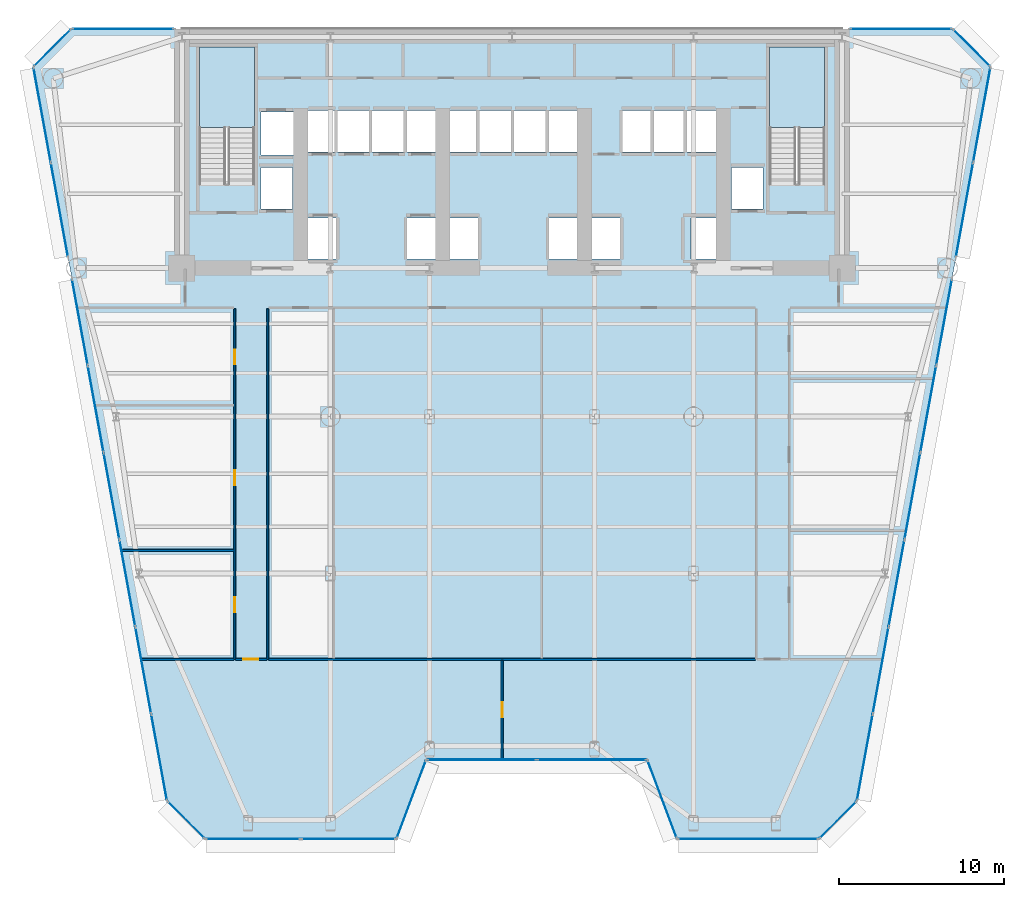
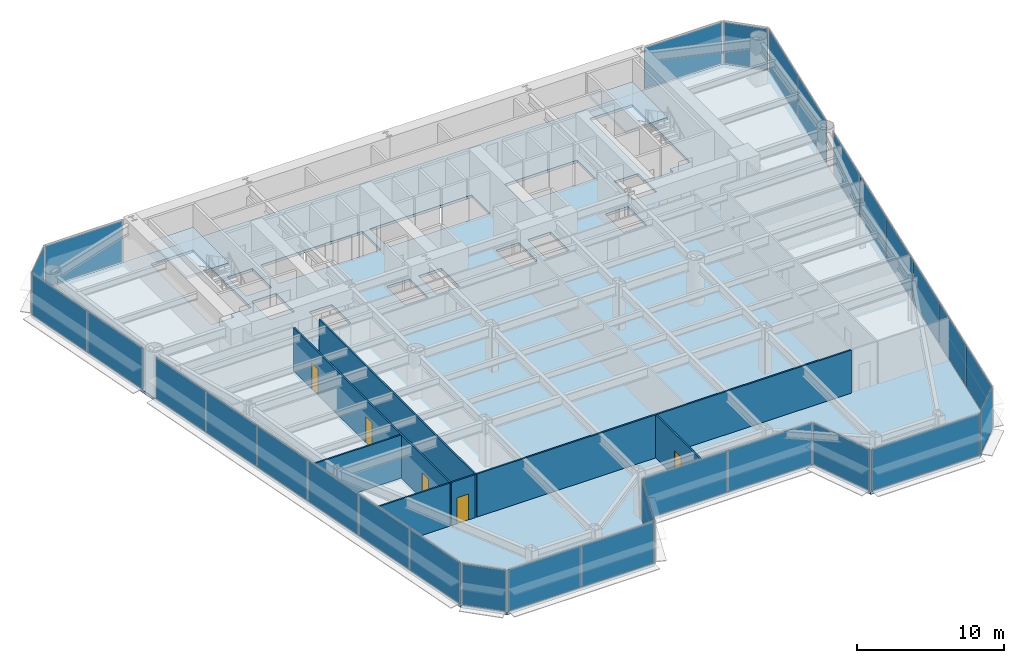
# One storey, part 7 of 14: 29 plates, 7 walls, 5 doors, 3 slabs, 5 openings, 17 elements without a shape of their own.
"""IFC4 building model written with IfcOpenShell, lengths in metres."""

from ifc_helpers import new_model, si_unit, direction, frame, frame_2d, origin, origin_2d, place, context, subcontext, project, spatial, polyline, rectangle, outline, extrude, source, transform, mapped, material, layer, layer_set, type_object, element, fill, aggregate, save


model = new_model("IFC4")

# Units and contexts
model_context = context("Model", 3, precision=1e-05, world=origin(), true_north=direction((0.0, 1.0)))
body_context = subcontext(model_context, "Body", "Model", "MODEL_VIEW")
ifc_project = project(units=[si_unit("LENGTHUNIT", "METRE"), si_unit("AREAUNIT", "SQUARE_METRE"), si_unit("VOLUMEUNIT", "CUBIC_METRE"), si_unit("PLANEANGLEUNIT", "RADIAN"), si_unit("MASSUNIT", "GRAM", prefix="KILO")], contexts=[model_context])

# Site, building, storey
site_placement = place(None, origin())
site = spatial("IfcSite", under=ifc_project, at=site_placement, CompositionType="ELEMENT")
building_placement = place(site_placement, origin())
building = spatial("IfcBuilding", under=site, at=building_placement, Name="Vaeldorn Concourse Tower", CompositionType="ELEMENT")
storey_placement = place(building_placement, frame((0.0, 0.0, 49.199951171875)))
storey = spatial("IfcBuildingStorey", under=building, at=storey_placement, Name="L12", CompositionType="ELEMENT", Elevation=49.199951171875)

# Stair, slab
ifc_material_1 = material(Name="Precast concrete C40/50", Category="concrete")
stair_type = type_object("IfcStairType", Name="STR-DOG-24x158", PredefinedType="HALF_TURN_STAIR", material=ifc_material_1)
stair_1_placement = place(storey_placement, origin())
stair_1 = element("IfcStair", 1, at=stair_1_placement, inside=storey, type_object=stair_type, Name="L12 West Core Exit Stair ST-1", PredefinedType="HALF_TURN_STAIR")
ifc_material_2 = material(Name="Concrete C40/50", Category="concrete")
ifc_layer_1 = layer(ifc_material_2, 0.199951171875)
ifc_layer_set_1 = layer_set([ifc_layer_1], Name="Concrete C40/50")
slab_type_1 = type_object("IfcSlabType", Name="SL-STAIR-LANDING", PredefinedType="LANDING", material=ifc_layer_set_1)
slab_1_placement = place(storey_placement, frame((0.0, 0.0, 1.699951171875)))
slab_1 = element("IfcSlab", 2, at=slab_1_placement, type_object=slab_type_1, Name="ST-1 landing 1", PredefinedType="LANDING", context=body_context, shape_type="SweptSolid", body=[
    extrude(outline(polyline([(18.39990234375, 45.010009765625), (18.39990234375, 49.89990234375), (15.050048828125, 49.89990234375), (15.050048828125, 45.010009765625), (18.39990234375, 45.010009765625)])), origin(), (0.0, 0.0, 1.0), 0.2001953125),
])
aggregate(stair_1, [slab_1])

stair_2_placement = place(storey_placement, origin())
stair_2 = element("IfcStair", 3, at=stair_2_placement, inside=storey, type_object=stair_type, Name="L12 East Core Exit Stair ST-2", PredefinedType="HALF_TURN_STAIR")
slab_2_placement = place(storey_placement, frame((0.0, 0.0, 1.699951171875)))
slab_2 = element("IfcSlab", 4, at=slab_2_placement, type_object=slab_type_1, Name="ST-2 landing 1", PredefinedType="LANDING", context=body_context, shape_type="SweptSolid", body=[
    extrude(outline(polyline([(52.949951171875, 45.010009765625), (52.949951171875, 49.89990234375), (49.60009765625, 49.89990234375), (49.60009765625, 45.010009765625), (52.949951171875, 45.010009765625)])), origin(), (0.0, 0.0, 1.0), 0.2001953125),
])
aggregate(stair_2, [slab_2])

# Slab
ifc_layer_2 = layer(ifc_material_2, 0.219970703125)
ifc_layer_set_2 = layer_set([ifc_layer_2], Name="Concrete C40/50")
slab_type_2 = type_object("IfcSlabType", Name="SL-TYP-220", PredefinedType="FLOOR", material=ifc_layer_set_2)
slab_3_placement = place(storey_placement, frame((0.0, 0.0, -0.219970703125)))
element("IfcSlab", 5, at=slab_3_placement, inside=storey, type_object=slab_type_2, Name="Structural Floor Slab L12", PredefinedType="FLOOR", context=body_context, shape_type="SweptSolid", body=[
    extrude(outline(polyline([(15.3994140625, 1.91259765625), (27.0, 1.91259765625), (28.800048828125, 6.712646484375), (42.199951171875, 6.712646484375), (44.0, 1.91259765625), (52.6005859375, 1.91259765625), (54.900634765625, 4.212646484375), (63.0, 48.699951171875), (60.699951171875, 51.0), (7.300048828125, 51.0), (5.0, 48.699951171875), (13.099365234375, 4.212646484375), (15.3994140625, 1.91259765625)]), holes=[polyline([(18.39990234375, 42.0), (18.39990234375, 49.89990234375), (15.050048828125, 49.89990234375), (15.050048828125, 41.60009765625), (16.800048828125, 41.60009765625), (16.800048828125, 42.0), (18.39990234375, 42.0)]), polyline([(52.949951171875, 42.0), (52.949951171875, 49.89990234375), (49.60009765625, 49.89990234375), (49.60009765625, 41.60009765625), (51.35009765625, 41.60009765625), (51.35009765625, 42.0), (52.949951171875, 42.0)]), polyline([(21.550048828125, 37.050048828125), (23.35009765625, 37.050048828125), (23.35009765625, 39.550048828125), (21.550048828125, 39.550048828125), (21.550048828125, 37.050048828125)]), polyline([(27.64990234375, 37.050048828125), (29.449951171875, 37.050048828125), (29.449951171875, 39.550048828125), (27.64990234375, 39.550048828125), (27.64990234375, 37.050048828125)]), polyline([(21.5, 43.550048828125), (29.5, 43.550048828125), (29.5, 46.050048828125), (21.5, 46.050048828125), (21.5, 43.550048828125)]), polyline([(30.14990234375, 37.050048828125), (31.949951171875, 37.050048828125), (31.949951171875, 39.550048828125), (30.14990234375, 39.550048828125), (30.14990234375, 37.050048828125)]), polyline([(36.25, 37.050048828125), (38.050048828125, 37.050048828125), (38.050048828125, 39.550048828125), (36.25, 39.550048828125), (36.25, 37.050048828125)]), polyline([(30.10009765625, 43.550048828125), (38.10009765625, 43.550048828125), (38.10009765625, 46.050048828125), (30.10009765625, 46.050048828125), (30.10009765625, 43.550048828125)]), polyline([(38.75, 37.050048828125), (40.550048828125, 37.050048828125), (40.550048828125, 39.550048828125), (38.75, 39.550048828125), (38.75, 37.050048828125)]), polyline([(44.85009765625, 37.050048828125), (46.64990234375, 37.050048828125), (46.64990234375, 39.550048828125), (44.85009765625, 39.550048828125), (44.85009765625, 37.050048828125)]), polyline([(40.699951171875, 43.550048828125), (46.39990234375, 43.550048828125), (46.39990234375, 46.050048828125), (40.699951171875, 46.050048828125), (40.699951171875, 43.550048828125)]), polyline([(18.800048828125, 43.35009765625), (20.800048828125, 43.35009765625), (20.800048828125, 45.949951171875), (18.800048828125, 45.949951171875), (18.800048828125, 43.35009765625)]), polyline([(18.800048828125, 40.10009765625), (20.699951171875, 40.10009765625), (20.699951171875, 42.60009765625), (18.800048828125, 42.60009765625), (18.800048828125, 40.10009765625)]), polyline([(47.300048828125, 40.10009765625), (49.199951171875, 40.10009765625), (49.199951171875, 42.60009765625), (47.300048828125, 42.60009765625), (47.300048828125, 40.10009765625)])]), origin(), (0.0, 0.0, 1.0), 0.219970703125),
])

# Curtain wall, plate
ifc_material_3 = material(Name="Anodised Bronze Aluminium", Category="aluminium")
ifc_layer_3 = layer(ifc_material_3, 0.219970703125)
ifc_layer_set_3 = layer_set([ifc_layer_3], Name="Anodised Bronze Aluminium")
curtain_wall_type = type_object("IfcCurtainWallType", Name="CW-SYS-01", PredefinedType="NOTDEFINED", material=ifc_layer_set_3)
curtain_wall_1_placement = place(storey_placement, origin())
curtain_wall_1 = element("IfcCurtainWall", 6, at=curtain_wall_1_placement, inside=storey, type_object=curtain_wall_type, Name="Unitised Curtain Wall CW-L12-E02-1", PredefinedType="NOTDEFINED")
ifc_material_4 = material(Name="Bronze Tinted Low-E Insulated Glass", Category="glass")
ifc_layer_4 = layer(ifc_material_4, 0.031982421875)
ifc_layer_set_4 = layer_set([ifc_layer_4], Name="Bronze Tinted Low-E Insulated Glass")
plate_type = type_object("IfcPlateType", Name="CWP-VISION-32", PredefinedType="CURTAIN_PANEL", material=ifc_layer_set_4)
shared_shape_1 = source(origin(), body_context, "Body", "SweptSolid", [
    extrude(rectangle(XDim=4.976318359375, YDim=0.031982421875, at=origin_2d()), origin(), (0.0, 0.0, 1.0), 3.429931640625),
])
plate_1_placement = place(storey_placement, frame((27.89990234375, 4.3125, 0.0751953125), z_axis=(0.0, 0.0, 1.0), x_axis=(0.351123441595, 0.936329177566, 0.0)))
plate_1 = element("IfcPlate", 7, at=plate_1_placement, type_object=plate_type, Name="CW-01 panel 1.1", PredefinedType="CURTAIN_PANEL", context=body_context, shape_type="MappedRepresentation", body=[
    mapped(shared_shape_1, transform((0.0, 0.0, 0.0), scale=1.0)),
])
aggregate(curtain_wall_1, [plate_1])

curtain_wall_2_placement = place(storey_placement, origin())
curtain_wall_2 = element("IfcCurtainWall", 8, at=curtain_wall_2_placement, inside=storey, type_object=curtain_wall_type, Name="Unitised Curtain Wall CW-L12-E04-1", PredefinedType="NOTDEFINED")
plate_2_placement = place(storey_placement, frame((43.10009765625, 4.3125, 0.0751953125), z_axis=(0.0, 0.0, 1.0), x_axis=(0.351123441595, -0.936329177566, 0.0)))
plate_2 = element("IfcPlate", 9, at=plate_2_placement, type_object=plate_type, Name="CW-01 panel 1.1", PredefinedType="CURTAIN_PANEL", context=body_context, shape_type="MappedRepresentation", body=[
    mapped(shared_shape_1, transform((0.0, 0.0, 0.0), scale=1.0)),
])
aggregate(curtain_wall_2, [plate_2])

# Curtain wall, plates
curtain_wall_3_placement = place(storey_placement, origin())
curtain_wall_3 = element("IfcCurtainWall", 10, at=curtain_wall_3_placement, inside=storey, type_object=curtain_wall_type, Name="Unitised Curtain Wall CW-L12-E03-1", PredefinedType="NOTDEFINED")
shared_shape_2 = source(origin(), body_context, "Body", "SweptSolid", [
    extrude(rectangle(XDim=6.58740234375, YDim=0.031982421875, at=origin_2d()), origin(), (0.0, 0.0, 1.0), 3.429931640625),
])
plate_3_placement = place(storey_placement, frame((32.168701171875, 6.712646484375, 0.0751953125), z_axis=(0.0, 0.0, 1.0), x_axis=(1.0, 0.0, 0.0)))
plate_3 = element("IfcPlate", 11, at=plate_3_placement, type_object=plate_type, Name="CW-01 panel 1.1", PredefinedType="CURTAIN_PANEL", context=body_context, shape_type="MappedRepresentation", body=[
    mapped(shared_shape_2, transform((0.0, 0.0, 0.0), scale=1.0)),
])
plate_4_placement = place(storey_placement, frame((38.831298828125, 6.712646484375, 0.0751953125), z_axis=(0.0, 0.0, 1.0), x_axis=(1.0, 0.0, 0.0)))
plate_4 = element("IfcPlate", 12, at=plate_4_placement, type_object=plate_type, Name="CW-01 panel 2.1", PredefinedType="CURTAIN_PANEL", context=body_context, shape_type="MappedRepresentation", body=[
    mapped(shared_shape_2, transform((0.0, 0.0, 0.0), scale=1.0)),
])
aggregate(curtain_wall_3, [plate_3, plate_4])

# Curtain wall, plate
curtain_wall_4_placement = place(storey_placement, origin())
curtain_wall_4 = element("IfcCurtainWall", 13, at=curtain_wall_4_placement, inside=storey, type_object=curtain_wall_type, Name="Unitised Curtain Wall CW-L12-E06-1", PredefinedType="NOTDEFINED")
shared_shape_3 = source(origin(), body_context, "Body", "SweptSolid", [
    extrude(rectangle(XDim=3.102783203125, YDim=0.031982421875, at=origin_2d()), origin(), (0.0, 0.0, 1.0), 3.429931640625),
])
plate_5_placement = place(storey_placement, frame((53.75048828125, 3.0625, 0.0751953125), z_axis=(0.0, 0.0, 1.0), x_axis=(0.707106781187, 0.707106781187, 0.0)))
plate_5 = element("IfcPlate", 14, at=plate_5_placement, type_object=plate_type, Name="CW-01 panel 1.1", PredefinedType="CURTAIN_PANEL", context=body_context, shape_type="MappedRepresentation", body=[
    mapped(shared_shape_3, transform((0.0, 0.0, 0.0), scale=1.0)),
])
aggregate(curtain_wall_4, [plate_5])

curtain_wall_5_placement = place(storey_placement, origin())
curtain_wall_5 = element("IfcCurtainWall", 15, at=curtain_wall_5_placement, inside=storey, type_object=curtain_wall_type, Name="Unitised Curtain Wall CW-L12-E08-1", PredefinedType="NOTDEFINED")
plate_6_placement = place(storey_placement, frame((61.85009765625, 49.85009765625, 0.0751953125), z_axis=(0.0, 0.0, 1.0), x_axis=(-0.707106781187, 0.707106781187, 0.0)))
plate_6 = element("IfcPlate", 16, at=plate_6_placement, type_object=plate_type, Name="CW-01 panel 1.1", PredefinedType="CURTAIN_PANEL", context=body_context, shape_type="MappedRepresentation", body=[
    mapped(shared_shape_3, transform((0.0, 0.0, 0.0), scale=1.0)),
])
aggregate(curtain_wall_5, [plate_6])

curtain_wall_6_placement = place(storey_placement, origin())
curtain_wall_6 = element("IfcCurtainWall", 17, at=curtain_wall_6_placement, inside=storey, type_object=curtain_wall_type, Name="Unitised Curtain Wall CW-L12-E10-1", PredefinedType="NOTDEFINED")
plate_7_placement = place(storey_placement, frame((6.14990234375, 49.85009765625, 0.0751953125), z_axis=(0.0, 0.0, 1.0), x_axis=(-0.707106781187, -0.707106781187, 0.0)))
plate_7 = element("IfcPlate", 18, at=plate_7_placement, type_object=plate_type, Name="CW-01 panel 1.1", PredefinedType="CURTAIN_PANEL", context=body_context, shape_type="MappedRepresentation", body=[
    mapped(shared_shape_3, transform((0.0, 0.0, 0.0), scale=1.0)),
])
aggregate(curtain_wall_6, [plate_7])

curtain_wall_7_placement = place(storey_placement, origin())
curtain_wall_7 = element("IfcCurtainWall", 19, at=curtain_wall_7_placement, inside=storey, type_object=curtain_wall_type, Name="Unitised Curtain Wall CW-L12-E12-1", PredefinedType="NOTDEFINED")
plate_8_placement = place(storey_placement, frame((14.24951171875, 3.0625, 0.0751953125), z_axis=(0.0, 0.0, 1.0), x_axis=(0.707106781187, -0.707106781187, 0.0)))
plate_8 = element("IfcPlate", 20, at=plate_8_placement, type_object=plate_type, Name="CW-01 panel 1.1", PredefinedType="CURTAIN_PANEL", context=body_context, shape_type="MappedRepresentation", body=[
    mapped(shared_shape_3, transform((0.0, 0.0, 0.0), scale=1.0)),
])
aggregate(curtain_wall_7, [plate_8])

curtain_wall_8_placement = place(storey_placement, origin())
curtain_wall_8 = element("IfcCurtainWall", 21, at=curtain_wall_8_placement, inside=storey, type_object=curtain_wall_type, Name="Unitised Curtain Wall CW-L12-E09-1", PredefinedType="NOTDEFINED")
shared_shape_4 = source(origin(), body_context, "Body", "SweptSolid", [
    extrude(rectangle(XDim=6.10498046875, YDim=0.031982421875, at=origin_2d()), origin(), (0.0, 0.0, 1.0), 3.429931640625),
])
plate_9_placement = place(storey_placement, frame((57.572509765625, 51.0, 0.0751953125), z_axis=(0.0, 0.0, 1.0), x_axis=(-1.0, 0.0, 0.0)))
plate_9 = element("IfcPlate", 22, at=plate_9_placement, type_object=plate_type, Name="CW-01 panel 1.1", PredefinedType="CURTAIN_PANEL", context=body_context, shape_type="MappedRepresentation", body=[
    mapped(shared_shape_4, transform((0.0, 0.0, 0.0), scale=1.0)),
])
aggregate(curtain_wall_8, [plate_9])

curtain_wall_9_placement = place(storey_placement, origin())
curtain_wall_9 = element("IfcCurtainWall", 23, at=curtain_wall_9_placement, inside=storey, type_object=curtain_wall_type, Name="Unitised Curtain Wall CW-L12-E09-2", PredefinedType="NOTDEFINED")
plate_10_placement = place(storey_placement, frame((10.427490234375, 51.0, 0.0751953125), z_axis=(0.0, 0.0, 1.0), x_axis=(-1.0, 0.0, 0.0)))
plate_10 = element("IfcPlate", 24, at=plate_10_placement, type_object=plate_type, Name="CW-01 panel 1.1", PredefinedType="CURTAIN_PANEL", context=body_context, shape_type="MappedRepresentation", body=[
    mapped(shared_shape_4, transform((0.0, 0.0, 0.0), scale=1.0)),
])
aggregate(curtain_wall_9, [plate_10])

# Curtain wall, plates
curtain_wall_10_placement = place(storey_placement, origin())
curtain_wall_10 = element("IfcCurtainWall", 25, at=curtain_wall_10_placement, inside=storey, type_object=curtain_wall_type, Name="Unitised Curtain Wall CW-L12-E07-2", PredefinedType="NOTDEFINED")
shared_shape_5 = source(origin(), body_context, "Body", "SweptSolid", [
    extrude(rectangle(XDim=5.77294921875, YDim=0.031982421875, at=origin_2d()), origin(), (0.0, 0.0, 1.0), 3.429931640625),
])
plate_11_placement = place(storey_placement, frame((61.422119140625, 40.032958984375, 0.0751953125), z_axis=(0.0, 0.0, 1.0), x_axis=(0.179120182152, 0.98382720045, 0.0)))
plate_11 = element("IfcPlate", 26, at=plate_11_placement, type_object=plate_type, Name="CW-01 panel 1.1", PredefinedType="CURTAIN_PANEL", context=body_context, shape_type="MappedRepresentation", body=[
    mapped(shared_shape_5, transform((0.0, 0.0, 0.0), scale=1.0)),
])
plate_12_placement = place(storey_placement, frame((62.469482421875, 45.786376953125, 0.0751953125), z_axis=(0.0, 0.0, 1.0), x_axis=(0.179120182152, 0.98382720045, 0.0)))
plate_12 = element("IfcPlate", 27, at=plate_12_placement, type_object=plate_type, Name="CW-01 panel 2.1", PredefinedType="CURTAIN_PANEL", context=body_context, shape_type="MappedRepresentation", body=[
    mapped(shared_shape_5, transform((0.0, 0.0, 0.0), scale=1.0)),
])
aggregate(curtain_wall_10, [plate_11, plate_12])

curtain_wall_11_placement = place(storey_placement, origin())
curtain_wall_11 = element("IfcCurtainWall", 28, at=curtain_wall_11_placement, inside=storey, type_object=curtain_wall_type, Name="Unitised Curtain Wall CW-L12-E11-1", PredefinedType="NOTDEFINED")
plate_13_placement = place(storey_placement, frame((5.530517578125, 45.786376953125, 0.0751953125), z_axis=(0.0, 0.0, 1.0), x_axis=(0.179120182152, -0.98382720045, 0.0)))
plate_13 = element("IfcPlate", 29, at=plate_13_placement, type_object=plate_type, Name="CW-01 panel 1.1", PredefinedType="CURTAIN_PANEL", context=body_context, shape_type="MappedRepresentation", body=[
    mapped(shared_shape_5, transform((0.0, 0.0, 0.0), scale=1.0)),
])
plate_14_placement = place(storey_placement, frame((6.577880859375, 40.032958984375, 0.0751953125), z_axis=(0.0, 0.0, 1.0), x_axis=(0.179120182152, -0.98382720045, 0.0)))
plate_14 = element("IfcPlate", 30, at=plate_14_placement, type_object=plate_type, Name="CW-01 panel 2.1", PredefinedType="CURTAIN_PANEL", context=body_context, shape_type="MappedRepresentation", body=[
    mapped(shared_shape_5, transform((0.0, 0.0, 0.0), scale=1.0)),
])
aggregate(curtain_wall_11, [plate_13, plate_14])

curtain_wall_12_placement = place(storey_placement, origin())
curtain_wall_12 = element("IfcCurtainWall", 31, at=curtain_wall_12_placement, inside=storey, type_object=curtain_wall_type, Name="Unitised Curtain Wall CW-L12-E01-1", PredefinedType="NOTDEFINED")
shared_shape_6 = source(origin(), body_context, "Body", "SweptSolid", [
    extrude(rectangle(XDim=5.687744140625, YDim=0.031982421875, at=origin_2d()), origin(), (0.0, 0.0, 1.0), 3.429931640625),
])
plate_15_placement = place(storey_placement, frame((18.318359375, 1.91259765625, 0.0751953125), z_axis=(0.0, 0.0, 1.0), x_axis=(1.0, 0.0, 0.0)))
plate_15 = element("IfcPlate", 32, at=plate_15_placement, type_object=plate_type, Name="CW-01 panel 1.1", PredefinedType="CURTAIN_PANEL", context=body_context, shape_type="MappedRepresentation", body=[
    mapped(shared_shape_6, transform((0.0, 0.0, 0.0), scale=1.0)),
])
plate_16_placement = place(storey_placement, frame((24.0810546875, 1.91259765625, 0.0751953125), z_axis=(0.0, 0.0, 1.0), x_axis=(1.0, 0.0, 0.0)))
plate_16 = element("IfcPlate", 33, at=plate_16_placement, type_object=plate_type, Name="CW-01 panel 2.1", PredefinedType="CURTAIN_PANEL", context=body_context, shape_type="MappedRepresentation", body=[
    mapped(shared_shape_6, transform((0.0, 0.0, 0.0), scale=1.0)),
])
aggregate(curtain_wall_12, [plate_15, plate_16])

# Curtain wall, plate
curtain_wall_13_placement = place(storey_placement, origin())
curtain_wall_13 = element("IfcCurtainWall", 34, at=curtain_wall_13_placement, inside=storey, type_object=curtain_wall_type, Name="Unitised Curtain Wall CW-L12-E05-1", PredefinedType="NOTDEFINED")
shared_shape_7 = source(origin(), body_context, "Body", "SweptSolid", [
    extrude(rectangle(XDim=8.45068359375, YDim=0.031982421875, at=origin_2d()), origin(), (0.0, 0.0, 1.0), 3.429931640625),
])
plate_17_placement = place(storey_placement, frame((48.30029296875, 1.91259765625, 0.0751953125), z_axis=(0.0, 0.0, 1.0), x_axis=(1.0, 0.0, 0.0)))
plate_17 = element("IfcPlate", 35, at=plate_17_placement, type_object=plate_type, Name="CW-01 panel 1.1", PredefinedType="CURTAIN_PANEL", context=body_context, shape_type="MappedRepresentation", body=[
    mapped(shared_shape_7, transform((0.0, 0.0, 0.0), scale=1.0)),
])
aggregate(curtain_wall_13, [plate_17])

# Curtain wall, plates
curtain_wall_14_placement = place(storey_placement, origin())
curtain_wall_14 = element("IfcCurtainWall", 36, at=curtain_wall_14_placement, inside=storey, type_object=curtain_wall_type, Name="Unitised Curtain Wall CW-L12-E07-1", PredefinedType="NOTDEFINED")
shared_shape_8 = source(origin(), body_context, "Body", "SweptSolid", [
    extrude(rectangle(XDim=5.252197265625, YDim=0.031982421875, at=origin_2d()), origin(), (0.0, 0.0, 1.0), 3.429931640625),
])
plate_18_placement = place(storey_placement, frame((55.384521484375, 6.8701171875, 0.0751953125), z_axis=(0.0, 0.0, 1.0), x_axis=(0.179116994505, 0.983827780803, 0.0)))
plate_18 = element("IfcPlate", 37, at=plate_18_placement, type_object=plate_type, Name="CW-01 panel 1.1", PredefinedType="CURTAIN_PANEL", context=body_context, shape_type="MappedRepresentation", body=[
    mapped(shared_shape_8, transform((0.0, 0.0, 0.0), scale=1.0)),
])
plate_19_placement = place(storey_placement, frame((60.182373046875, 33.22314453125, 0.0751953125), z_axis=(0.0, 0.0, 1.0), x_axis=(0.179116994505, 0.983827780803, 0.0)))
plate_19 = element("IfcPlate", 38, at=plate_19_placement, type_object=plate_type, Name="CW-01 panel 6.1", PredefinedType="CURTAIN_PANEL", context=body_context, shape_type="MappedRepresentation", body=[
    mapped(shared_shape_8, transform((0.0, 0.0, 0.0), scale=1.0)),
])

curtain_wall_15_placement = place(storey_placement, origin())
curtain_wall_15 = element("IfcCurtainWall", 39, at=curtain_wall_15_placement, inside=storey, type_object=curtain_wall_type, Name="Unitised Curtain Wall CW-L12-E11-2", PredefinedType="NOTDEFINED")
plate_20_placement = place(storey_placement, frame((7.817626953125, 33.22314453125, 0.0751953125), z_axis=(0.0, 0.0, 1.0), x_axis=(0.179116994505, -0.983827780803, 0.0)))
plate_20 = element("IfcPlate", 40, at=plate_20_placement, type_object=plate_type, Name="CW-01 panel 1.1", PredefinedType="CURTAIN_PANEL", context=body_context, shape_type="MappedRepresentation", body=[
    mapped(shared_shape_8, transform((0.0, 0.0, 0.0), scale=1.0)),
])
plate_21_placement = place(storey_placement, frame((12.615478515625, 6.8701171875, 0.0751953125), z_axis=(0.0, 0.0, 1.0), x_axis=(0.179116994505, -0.983827780803, 0.0)))
plate_21 = element("IfcPlate", 41, at=plate_21_placement, type_object=plate_type, Name="CW-01 panel 6.1", PredefinedType="CURTAIN_PANEL", context=body_context, shape_type="MappedRepresentation", body=[
    mapped(shared_shape_8, transform((0.0, 0.0, 0.0), scale=1.0)),
])

# Plate
shared_shape_9 = source(origin(), body_context, "Body", "SweptSolid", [
    extrude(rectangle(XDim=5.289794921875, YDim=0.031982421875, at=origin_2d()), origin(), (0.0, 0.0, 1.0), 3.429931640625),
])
plate_22_placement = place(storey_placement, frame((56.342041015625, 12.129638671875, 0.0751953125), z_axis=(0.0, 0.0, 1.0), x_axis=(0.179116994505, 0.983827780803, 0.0)))
plate_22 = element("IfcPlate", 42, at=plate_22_placement, type_object=plate_type, Name="CW-01 panel 2.1", PredefinedType="CURTAIN_PANEL", context=body_context, shape_type="MappedRepresentation", body=[
    mapped(shared_shape_9, transform((0.0, 0.0, 0.0), scale=1.0)),
])

plate_23_placement = place(storey_placement, frame((57.302978515625, 17.407470703125, 0.0751953125), z_axis=(0.0, 0.0, 1.0), x_axis=(0.179116994505, 0.983827780803, 0.0)))
plate_23 = element("IfcPlate", 43, at=plate_23_placement, type_object=plate_type, Name="CW-01 panel 3.1", PredefinedType="CURTAIN_PANEL", context=body_context, shape_type="MappedRepresentation", body=[
    mapped(shared_shape_9, transform((0.0, 0.0, 0.0), scale=1.0)),
])

plate_24_placement = place(storey_placement, frame((58.263916015625, 22.685546875, 0.0751953125), z_axis=(0.0, 0.0, 1.0), x_axis=(0.179116994505, 0.983827780803, 0.0)))
plate_24 = element("IfcPlate", 44, at=plate_24_placement, type_object=plate_type, Name="CW-01 panel 4.1", PredefinedType="CURTAIN_PANEL", context=body_context, shape_type="MappedRepresentation", body=[
    mapped(shared_shape_9, transform((0.0, 0.0, 0.0), scale=1.0)),
])

plate_25_placement = place(storey_placement, frame((59.224609375, 27.963623046875, 0.0751953125), z_axis=(0.0, 0.0, 1.0), x_axis=(0.179116994505, 0.983827780803, 0.0)))
plate_25 = element("IfcPlate", 45, at=plate_25_placement, type_object=plate_type, Name="CW-01 panel 5.1", PredefinedType="CURTAIN_PANEL", context=body_context, shape_type="MappedRepresentation", body=[
    mapped(shared_shape_9, transform((0.0, 0.0, 0.0), scale=1.0)),
])

aggregate(curtain_wall_14, [plate_18, plate_22, plate_23, plate_24, plate_25, plate_19])

plate_26_placement = place(storey_placement, frame((8.775390625, 27.963623046875, 0.0751953125), z_axis=(0.0, 0.0, 1.0), x_axis=(0.179116994505, -0.983827780803, 0.0)))
plate_26 = element("IfcPlate", 46, at=plate_26_placement, type_object=plate_type, Name="CW-01 panel 2.1", PredefinedType="CURTAIN_PANEL", context=body_context, shape_type="MappedRepresentation", body=[
    mapped(shared_shape_9, transform((0.0, 0.0, 0.0), scale=1.0)),
])

plate_27_placement = place(storey_placement, frame((9.736083984375, 22.685546875, 0.0751953125), z_axis=(0.0, 0.0, 1.0), x_axis=(0.179116994505, -0.983827780803, 0.0)))
plate_27 = element("IfcPlate", 47, at=plate_27_placement, type_object=plate_type, Name="CW-01 panel 3.1", PredefinedType="CURTAIN_PANEL", context=body_context, shape_type="MappedRepresentation", body=[
    mapped(shared_shape_9, transform((0.0, 0.0, 0.0), scale=1.0)),
])

plate_28_placement = place(storey_placement, frame((10.697021484375, 17.407470703125, 0.0751953125), z_axis=(0.0, 0.0, 1.0), x_axis=(0.179116994505, -0.983827780803, 0.0)))
plate_28 = element("IfcPlate", 48, at=plate_28_placement, type_object=plate_type, Name="CW-01 panel 4.1", PredefinedType="CURTAIN_PANEL", context=body_context, shape_type="MappedRepresentation", body=[
    mapped(shared_shape_9, transform((0.0, 0.0, 0.0), scale=1.0)),
])

plate_29_placement = place(storey_placement, frame((11.657958984375, 12.129638671875, 0.0751953125), z_axis=(0.0, 0.0, 1.0), x_axis=(0.179116994505, -0.983827780803, 0.0)))
plate_29 = element("IfcPlate", 49, at=plate_29_placement, type_object=plate_type, Name="CW-01 panel 5.1", PredefinedType="CURTAIN_PANEL", context=body_context, shape_type="MappedRepresentation", body=[
    mapped(shared_shape_9, transform((0.0, 0.0, 0.0), scale=1.0)),
])

aggregate(curtain_wall_15, [plate_20, plate_26, plate_27, plate_28, plate_29, plate_21])

# Wall, openings, doors
ifc_material_5 = material(Name="Gypsum Board Partition", Category="gypsum")
ifc_layer_5 = layer(ifc_material_5, 0.1201171875)
ifc_layer_set_5 = layer_set([ifc_layer_5], Name="Gypsum Board Partition")
wall_type = type_object("IfcWallType", Name="WL-PART-120", PredefinedType="PARTITIONING", material=ifc_layer_set_5)
wall_1_placement = place(storey_placement, frame((17.199951171875, 12.800048828125, 0.0), z_axis=(0.0, 0.0, 1.0), x_axis=(0.0, 1.0, 0.0)))
wall_1 = element("IfcWall", 50, at=wall_1_placement, inside=storey, type_object=wall_type, Name="Interior Wall PW-L12-CWW", PredefinedType="PARTITIONING", context=body_context, shape_type="SweptSolid", body=[
    extrude(rectangle(XDim=21.239990234375, YDim=0.1201171875, at=frame_2d((10.6201171875, 0.0))), origin(), (0.0, 0.0, 1.0), 3.580078125),
])
opening_1_placement = place(wall_1_placement, frame((2.85009765625, 0.0, 0.0)))
opening_1 = element("IfcOpeningElement", 51, at=opening_1_placement, cuts=wall_1, Name="Opening D-03", PredefinedType="OPENING", context=body_context, shape_type="SweptSolid", body=[
    extrude(rectangle(XDim=0.89990234375, YDim=2.14990234375, at=frame_2d((0.449951171875, 1.074951171875))), frame((0.0, 0.070068359375, 0.0), z_axis=(0.0, -1.0, 0.0), x_axis=(1.0, 0.0, 0.0)), (0.0, 0.0, 1.0), 0.14013671875),
])
opening_2_placement = place(wall_1_placement, frame((10.550048828125, 0.0, 0.0)))
opening_2 = element("IfcOpeningElement", 52, at=opening_2_placement, cuts=wall_1, Name="Opening D-03", PredefinedType="OPENING", context=body_context, shape_type="SweptSolid", body=[
    extrude(rectangle(XDim=0.89990234375, YDim=2.14990234375, at=frame_2d((0.449951171875, 1.074951171875))), frame((0.0, 0.070068359375, 0.0), z_axis=(0.0, -1.0, 0.0), x_axis=(1.0, 0.0, 0.0)), (0.0, 0.0, 1.0), 0.14013671875),
])
opening_3_placement = place(wall_1_placement, frame((17.8701171875, 0.0, 0.0)))
opening_3 = element("IfcOpeningElement", 53, at=opening_3_placement, cuts=wall_1, Name="Opening D-03", PredefinedType="OPENING", context=body_context, shape_type="SweptSolid", body=[
    extrude(rectangle(XDim=0.89990234375, YDim=2.14990234375, at=frame_2d((0.449951171875, 1.074951171875))), frame((0.0, 0.070068359375, 0.0), z_axis=(0.0, -1.0, 0.0), x_axis=(1.0, 0.0, 0.0)), (0.0, 0.0, 1.0), 0.14013671875),
])
ifc_material_6 = material(Name="Acoustic Bronze-Framed Glass Door", Category="glass")
door_type = type_object("IfcDoorType", Name="DR-INT-900", OperationType="NOTDEFINED", PredefinedType="DOOR", material=ifc_material_6)
shared_shape_10 = source(origin(), body_context, "Body", "SweptSolid", [
    extrude(rectangle(XDim=0.89990234375, YDim=2.14990234375, at=frame_2d((0.449951171875, 1.074951171875))), frame((0.0, 0.02490234375, 0.0), z_axis=(0.0, -1.0, 0.0), x_axis=(1.0, 0.0, 0.0)), (0.0, 0.0, 1.0), 0.050048828125),
])
door_1_placement = place(opening_1_placement, origin())
door_1 = element("IfcDoor", 54, at=door_1_placement, inside=storey, type_object=door_type, Name="Interior Door DR-L12-W1", OperationType="SINGLE_SWING_LEFT", OverallHeight=2.14990234375, OverallWidth=0.89990234375, PredefinedType="DOOR", context=body_context, shape_type="MappedRepresentation", body=[
    mapped(shared_shape_10, transform((0.0, 0.0, 0.0), scale=1.0)),
])
fill(opening_1, door_1)
door_2_placement = place(opening_2_placement, origin())
door_2 = element("IfcDoor", 55, at=door_2_placement, inside=storey, type_object=door_type, Name="Interior Door DR-L12-W2", OperationType="SINGLE_SWING_RIGHT", OverallHeight=2.14990234375, OverallWidth=0.89990234375, PredefinedType="DOOR", context=body_context, shape_type="MappedRepresentation", body=[
    mapped(shared_shape_10, transform((0.0, 0.0, 0.0), scale=1.0)),
])
fill(opening_2, door_2)
door_3_placement = place(opening_3_placement, origin())
door_3 = element("IfcDoor", 56, at=door_3_placement, inside=storey, type_object=door_type, Name="Interior Door DR-L12-W3", OperationType="SINGLE_SWING_LEFT", OverallHeight=2.14990234375, OverallWidth=0.89990234375, PredefinedType="DOOR", context=body_context, shape_type="MappedRepresentation", body=[
    mapped(shared_shape_10, transform((0.0, 0.0, 0.0), scale=1.0)),
])
fill(opening_3, door_3)

# Wall
wall_2_placement = place(storey_placement, frame((19.199951171875, 12.800048828125, 0.0), z_axis=(0.0, 0.0, 1.0), x_axis=(0.0, 1.0, 0.0)))
element("IfcWall", 57, at=wall_2_placement, inside=storey, type_object=wall_type, Name="Interior Wall PW-L12-CWE", PredefinedType="PARTITIONING", context=body_context, shape_type="SweptSolid", body=[
    extrude(rectangle(XDim=21.239990234375, YDim=0.1201171875, at=frame_2d((10.6201171875, 0.0))), origin(), (0.0, 0.0, 1.0), 3.580078125),
])

# Wall, opening, door
wall_3_placement = place(storey_placement, frame((17.260009765625, 12.800048828125, 0.0), z_axis=(0.0, 0.0, 1.0), x_axis=(1.0, 0.0, 0.0)))
wall_3 = element("IfcWall", 58, at=wall_3_placement, inside=storey, type_object=wall_type, Name="Interior Wall PW-L12-CWS", PredefinedType="PARTITIONING", context=body_context, shape_type="SweptSolid", body=[
    extrude(rectangle(XDim=1.8798828125, YDim=0.1201171875, at=frame_2d((0.93994140625, 0.0))), origin(), (0.0, 0.0, 1.0), 3.580078125),
])
opening_4_placement = place(wall_3_placement, frame((0.449951171875, 0.0, 0.0)))
opening_4 = element("IfcOpeningElement", 59, at=opening_4_placement, cuts=wall_3, Name="Opening D-03", PredefinedType="OPENING", context=body_context, shape_type="SweptSolid", body=[
    extrude(rectangle(XDim=0.89990234375, YDim=2.14990234375, at=frame_2d((0.449951171875, 1.074951171875))), frame((0.0, 0.070068359375, 0.0), z_axis=(0.0, -1.0, 0.0), x_axis=(1.0, 0.0, 0.0)), (0.0, 0.0, 1.0), 0.14013671875),
])
door_4_placement = place(opening_4_placement, origin())
door_4 = element("IfcDoor", 60, at=door_4_placement, inside=storey, type_object=door_type, Name="Interior Door DR-L12-SWL", OperationType="SINGLE_SWING_LEFT", OverallHeight=2.14990234375, OverallWidth=0.89990234375, PredefinedType="DOOR", context=body_context, shape_type="MappedRepresentation", body=[
    mapped(shared_shape_10, transform((0.0, 0.0, 0.0), scale=1.0)),
])
fill(opening_4, door_4)

# Walls
wall_4_placement = place(storey_placement, frame((11.575927734375, 12.800048828125, 0.0), z_axis=(0.0, 0.0, 1.0), x_axis=(1.0, 0.0, 0.0)))
element("IfcWall", 61, at=wall_4_placement, inside=storey, type_object=wall_type, Name="Interior Wall PW-L12-WY0", PredefinedType="PARTITIONING", context=body_context, shape_type="SweptSolid", body=[
    extrude(rectangle(XDim=5.56396484375, YDim=0.1201171875, at=frame_2d((2.781982421875, 0.0))), origin(), (0.0, 0.0, 1.0), 3.580078125),
])
wall_5_placement = place(storey_placement, frame((10.37451171875, 19.39990234375, 0.0), z_axis=(0.0, 0.0, 1.0), x_axis=(1.0, 0.0, 0.0)))
element("IfcWall", 62, at=wall_5_placement, inside=storey, type_object=wall_type, Name="Interior Wall PW-L12-WY1", PredefinedType="PARTITIONING", context=body_context, shape_type="SweptSolid", body=[
    extrude(rectangle(XDim=6.765380859375, YDim=0.1201171875, at=frame_2d((3.3828125, 0.0))), origin(), (0.0, 0.0, 1.0), 3.580078125),
])
wall_6_placement = place(storey_placement, frame((19.260009765625, 12.800048828125, 0.0), z_axis=(0.0, 0.0, 1.0), x_axis=(1.0, 0.0, 0.0)))
element("IfcWall", 63, at=wall_6_placement, inside=storey, type_object=wall_type, Name="Interior Wall PW-L12-HUBS", PredefinedType="PARTITIONING", context=body_context, shape_type="SweptSolid", body=[
    extrude(rectangle(XDim=29.47998046875, YDim=0.1201171875, at=frame_2d((14.739990234375, 0.0))), origin(), (0.0, 0.0, 1.0), 3.580078125),
])

# Wall, opening, door
wall_7_placement = place(storey_placement, frame((33.39990234375, 6.752685546875, 0.0), z_axis=(0.0, 0.0, 1.0), x_axis=(0.0, 1.0, 0.0)))
wall_7 = element("IfcWall", 64, at=wall_7_placement, inside=storey, type_object=wall_type, Name="Interior Wall PW-L12-SMID1", PredefinedType="PARTITIONING", context=body_context, shape_type="SweptSolid", body=[
    extrude(rectangle(XDim=5.9873046875, YDim=0.1201171875, at=frame_2d((2.99365234375, 0.0))), origin(), (0.0, 0.0, 1.0), 3.580078125),
])
opening_5_placement = place(wall_7_placement, frame((2.5439453125, 0.0, 0.0)))
opening_5 = element("IfcOpeningElement", 65, at=opening_5_placement, cuts=wall_7, Name="Opening D-03", PredefinedType="OPENING", context=body_context, shape_type="SweptSolid", body=[
    extrude(rectangle(XDim=0.89990234375, YDim=2.14990234375, at=frame_2d((0.449951171875, 1.074951171875))), frame((0.0, 0.070068359375, 0.0), z_axis=(0.0, -1.0, 0.0), x_axis=(1.0, 0.0, 0.0)), (0.0, 0.0, 1.0), 0.14013671875),
])
door_5_placement = place(opening_5_placement, origin())
door_5 = element("IfcDoor", 66, at=door_5_placement, inside=storey, type_object=door_type, Name="Interior Door DR-L12-SMID1", OperationType="SINGLE_SWING_RIGHT", OverallHeight=2.14990234375, OverallWidth=0.89990234375, PredefinedType="DOOR", context=body_context, shape_type="MappedRepresentation", body=[
    mapped(shared_shape_10, transform((0.0, 0.0, 0.0), scale=1.0)),
])
fill(opening_5, door_5)

save(model, "model.ifc")
